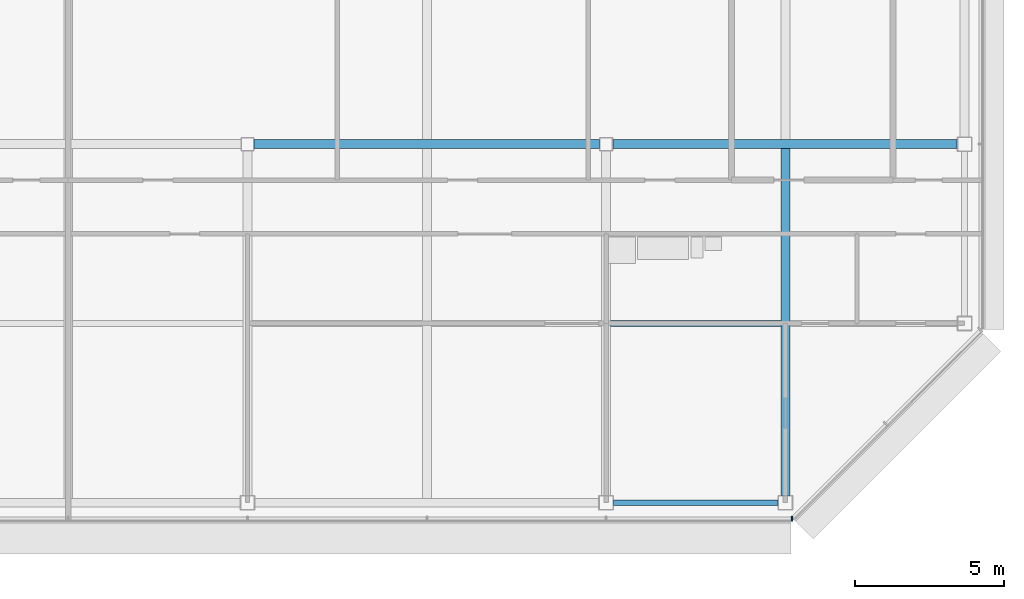
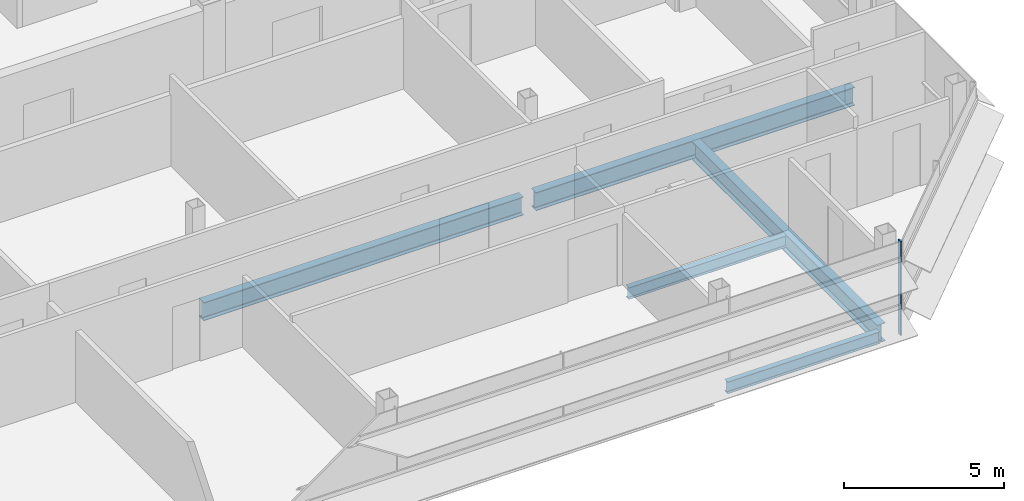
# One storey, part 11 of 27: 5 beams, 1 member, 1 element without a shape of its own.
"""IFC4 building model written with IfcOpenShell, lengths in metres."""

from ifc_helpers import new_model, si_unit, direction, frame, origin, origin_2d, place, context, subcontext, project, spatial, rectangle, i_section, extrude, material, material_profile, profile_set, type_object, element, aggregate, save


model = new_model("IFC4")

# Units and contexts
model_context = context("Model", 3, precision=1e-05, world=origin(), true_north=direction((0.0, 1.0)))
body_context = subcontext(model_context, "Body", "Model", "MODEL_VIEW")
ifc_project = project(units=[si_unit("LENGTHUNIT", "METRE"), si_unit("AREAUNIT", "SQUARE_METRE"), si_unit("VOLUMEUNIT", "CUBIC_METRE"), si_unit("PLANEANGLEUNIT", "RADIAN"), si_unit("MASSUNIT", "GRAM", prefix="KILO")], contexts=[model_context])

# Site, building, storey
site_placement = place(None, origin())
site = spatial("IfcSite", under=ifc_project, at=site_placement, CompositionType="ELEMENT")
building_placement = place(site_placement, origin())
building = spatial("IfcBuilding", under=site, at=building_placement, Name="Sorahane Residences", CompositionType="ELEMENT")
storey_placement = place(building_placement, frame((0.0, 0.0, 316.0)))
storey = spatial("IfcBuildingStorey", under=building, at=storey_placement, Name="L75", CompositionType="ELEMENT", Elevation=316.0)

# Curtain wall, member
ifc_material_1 = material(Name="Dark low-e glass and black anodised aluminium", Category="aluminium")
curtain_wall_type = type_object("IfcCurtainWallType", Name="Curtain wall CW-1 Typical unitised wall", PredefinedType="NOTDEFINED", material=ifc_material_1)
curtain_wall_placement = place(storey_placement, origin())
curtain_wall = element("IfcCurtainWall", 1, at=curtain_wall_placement, inside=storey, type_object=curtain_wall_type, Name="CW-1 curtain wall L75 S1", PredefinedType="NOTDEFINED")
ifc_material_2 = material(Name="Black anodised aluminium", Category="aluminium")
ifc_material_profile_1 = material_profile(ifc_material_2, rectangle(XDim=0.159912109375, YDim=0.050048828125, at=origin_2d()), Name="Curtain wall mullion CW-1 black anodised aluminium 50x160")
ifc_profile_set_1 = profile_set([ifc_material_profile_1], Name="Black anodised aluminium")
member_type = type_object("IfcMemberType", Name="Curtain wall mullion CW-1 black anodised aluminium 50x160", PredefinedType="MULLION", material=ifc_profile_set_1)
member_placement = place(storey_placement, frame((42.2236328125, -0.5400390625, -0.179931640625), z_axis=(0.0, 0.0, 1.0), x_axis=(0.0, -1.0, 0.0)))
member = element("IfcMember", 2, at=member_placement, type_object=member_type, Name="CW-1 mullion L75 S1.10", PredefinedType="MULLION", context=body_context, shape_type="SweptSolid", body=[
    extrude(rectangle(XDim=0.159912109375, YDim=0.050048828125, at=origin_2d()), origin(), (0.0, 0.0, 1.0), 3.599853515625),
])
aggregate(curtain_wall, [member])

# Beams
ifc_material_3 = material(Name="Steel Q355B", Category="steel")
ifc_material_profile_2 = material_profile(ifc_material_3, i_section(OverallWidth=0.199951171875, OverallDepth=0.449951171875, WebThickness=0.009033203125, FlangeThickness=0.013916015625, FilletRadius=0.02001953125, at=origin_2d()), Name="HN 450x200x9x14")
ifc_profile_set_2 = profile_set([ifc_material_profile_2], Name="Steel Q355B")
beam_type_1 = type_object("IfcBeamType", Name="Steel floor beam HN 450x200x9x14 Q355B", PredefinedType="BEAM", material=ifc_profile_set_2)
beam_1_placement = place(storey_placement, frame((36.25, 0.0, -0.405029296875), z_axis=(1.0, 0.0, 0.0), x_axis=(0.0, 1.0, 0.0)))
element("IfcBeam", 3, at=beam_1_placement, inside=storey, type_object=beam_type_1, Name="Beam L75 004", PredefinedType="BEAM", context=body_context, shape_type="SweptSolid", body=[
    extrude(i_section(OverallWidth=0.199951171875, OverallDepth=0.449951171875, WebThickness=0.009033203125, FlangeThickness=0.013916015625, FilletRadius=0.02001953125, at=origin_2d()), origin(), (0.0, 0.0, 1.0), 5.5),
])
beam_2_placement = place(storey_placement, frame((36.14990234375, 6.0, -0.405029296875), z_axis=(1.0, 0.0, 0.0), x_axis=(0.0, 1.0, 0.0)))
element("IfcBeam", 4, at=beam_2_placement, inside=storey, type_object=beam_type_1, Name="Beam L75 074", PredefinedType="BEAM", context=body_context, shape_type="SweptSolid", body=[
    extrude(i_section(OverallWidth=0.199951171875, OverallDepth=0.449951171875, WebThickness=0.009033203125, FlangeThickness=0.013916015625, FilletRadius=0.02001953125, at=origin_2d()), origin(), (0.0, 0.0, 1.0), 5.7001953125),
])
ifc_material_4 = material(Name="Steel Q355B", Category="steel")
ifc_material_profile_3 = material_profile(ifc_material_4, i_section(OverallWidth=0.300048828125, OverallDepth=0.699951171875, WebThickness=0.012939453125, FlangeThickness=0.02392578125, FilletRadius=0.028076171875, at=origin_2d()), Name="HN 700x300x13x24")
ifc_profile_set_3 = profile_set([ifc_material_profile_3], Name="Steel Q355B")
beam_type_2 = type_object("IfcBeamType", Name="Steel floor beam HN 700x300x13x24 Q355B", PredefinedType="BEAM", material=ifc_profile_set_3)
beam_3_placement = place(storey_placement, frame((24.22509765625, 12.0, -0.530029296875), z_axis=(1.0, 0.0, 0.0), x_axis=(0.0, 1.0, 0.0)))
element("IfcBeam", 5, at=beam_3_placement, inside=storey, type_object=beam_type_2, Name="Beam L75 009", PredefinedType="BEAM", context=body_context, shape_type="SweptSolid", body=[
    extrude(i_section(OverallWidth=0.300048828125, OverallDepth=0.699951171875, WebThickness=0.012939453125, FlangeThickness=0.02392578125, FilletRadius=0.028076171875, at=origin_2d()), origin(), (0.0, 0.0, 1.0), 11.5498046875),
])
beam_4_placement = place(storey_placement, frame((36.22509765625, 12.0, -0.530029296875), z_axis=(1.0, 0.0, 0.0), x_axis=(0.0, 1.0, 0.0)))
element("IfcBeam", 6, at=beam_4_placement, inside=storey, type_object=beam_type_2, Name="Beam L75 010", PredefinedType="BEAM", context=body_context, shape_type="SweptSolid", body=[
    extrude(i_section(OverallWidth=0.300048828125, OverallDepth=0.699951171875, WebThickness=0.012939453125, FlangeThickness=0.02392578125, FilletRadius=0.028076171875, at=origin_2d()), origin(), (0.0, 0.0, 1.0), 11.52490234375),
])
beam_5_placement = place(storey_placement, frame((42.0, 0.25, -0.530029296875), z_axis=(0.0, 1.0, 0.0), x_axis=(-1.0, 0.0, 0.0)))
element("IfcBeam", 7, at=beam_5_placement, inside=storey, type_object=beam_type_2, Name="Beam L75 056", PredefinedType="BEAM", context=body_context, shape_type="SweptSolid", body=[
    extrude(i_section(OverallWidth=0.300048828125, OverallDepth=0.699951171875, WebThickness=0.012939453125, FlangeThickness=0.02392578125, FilletRadius=0.028076171875, at=origin_2d()), origin(), (0.0, 0.0, 1.0), 11.60009765625),
])

save(model, "model.ifc")
